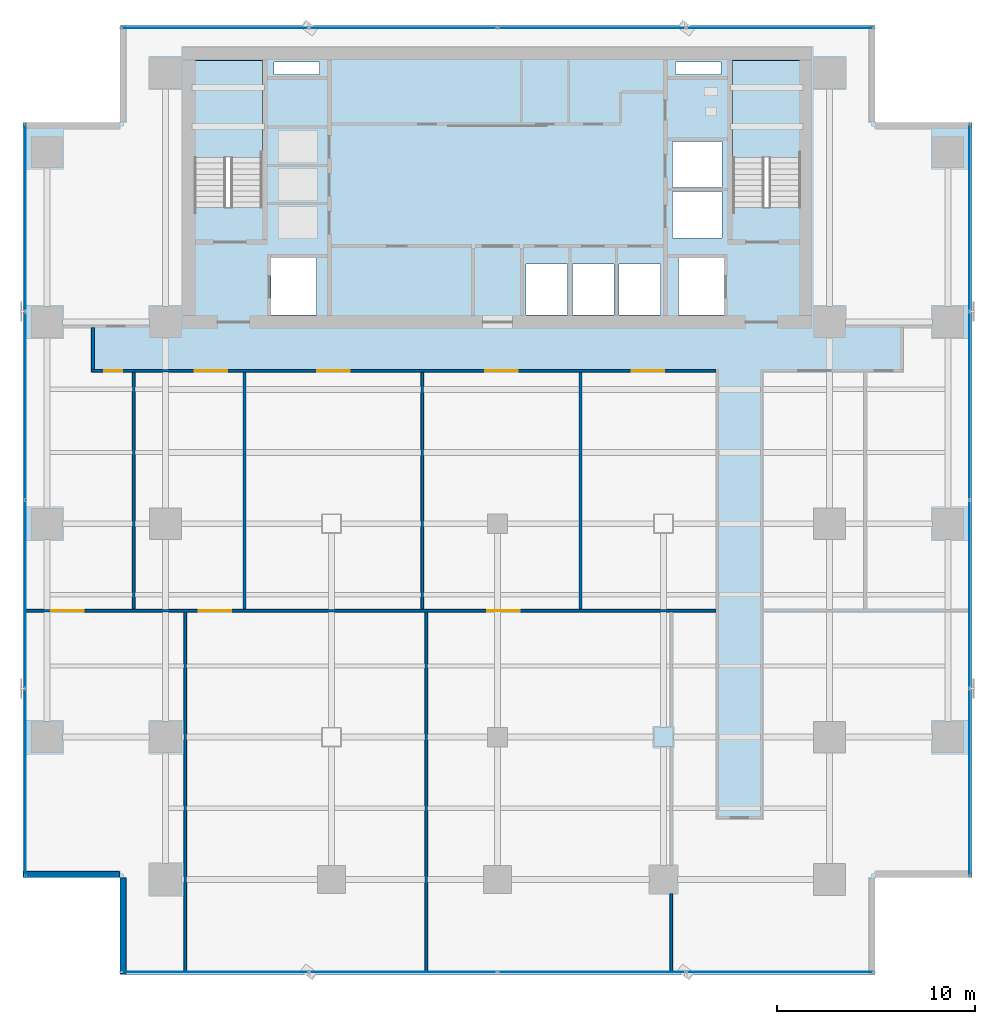
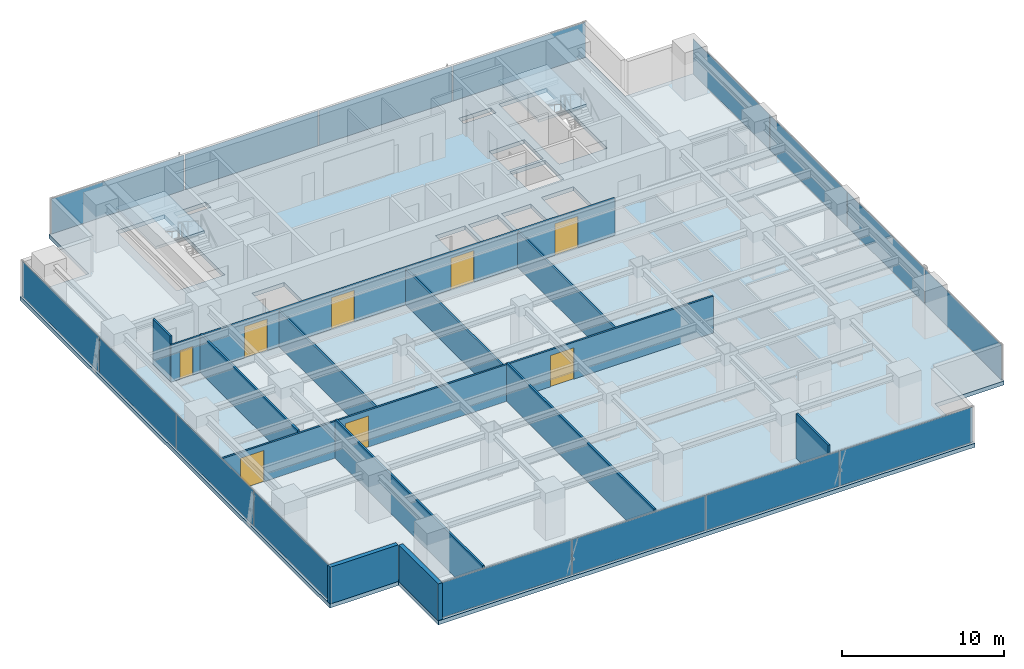
# One storey, part 20 of 29: 16 plates, 12 walls, 8 doors, 3 slabs, 8 openings, 6 elements without a shape of their own.
"""IFC4 building model written with IfcOpenShell, lengths in metres."""

from ifc_helpers import new_model, si_unit, direction, frame, frame_2d, origin, origin_2d, place, context, subcontext, project, spatial, polyline, rectangle, outline, extrude, source, transform, mapped, material, layer, layer_set, type_object, element, fill, aggregate, save


model = new_model("IFC4")

# Units and contexts
model_context = context("Model", 3, precision=1e-05, world=origin(), true_north=direction((0.0, 1.0)))
body_context = subcontext(model_context, "Body", "Model", "MODEL_VIEW")
ifc_project = project(units=[si_unit("LENGTHUNIT", "METRE"), si_unit("AREAUNIT", "SQUARE_METRE"), si_unit("VOLUMEUNIT", "CUBIC_METRE"), si_unit("PLANEANGLEUNIT", "RADIAN"), si_unit("MASSUNIT", "GRAM", prefix="KILO")], contexts=[model_context])

# Site, building, storey
site_placement = place(None, origin())
site = spatial("IfcSite", under=ifc_project, at=site_placement, CompositionType="ELEMENT")
building_placement = place(site_placement, origin())
building = spatial("IfcBuilding", under=site, at=building_placement, Name="Sumidabori Civic Tower", CompositionType="ELEMENT")
storey_placement = place(building_placement, frame((0.0, 0.0, 131.60009765625)))
storey = spatial("IfcBuildingStorey", under=building, at=storey_placement, Name="L33", CompositionType="ELEMENT", Elevation=131.60009765625)

# Stair, slab
ifc_material_1 = material(Name="Concrete C40/50", Category="concrete")
stair_type = type_object("IfcStairType", Name="ST-CORE-1600", PredefinedType="HALF_TURN_STAIR", material=ifc_material_1)
stair_1_placement = place(storey_placement, origin())
stair_1 = element("IfcStair", 1, at=stair_1_placement, inside=storey, type_object=stair_type, Name="L33 ST-1", PredefinedType="HALF_TURN_STAIR")
ifc_layer_1 = layer(ifc_material_1, 0.199951171875, Name="Concrete C40/50")
ifc_layer_set_1 = layer_set([ifc_layer_1], Name="Concrete C40/50")
slab_type_1 = type_object("IfcSlabType", Name="SL-LAND-200", PredefinedType="LANDING", material=ifc_layer_set_1)
slab_1_placement = place(storey_placement, frame((0.0, 0.0, 1.599853515625)))
slab_1 = element("IfcSlab", 2, at=slab_1_placement, type_object=slab_type_1, Name="ST-1 landing 1", PredefinedType="LANDING", context=body_context, shape_type="SweptSolid", body=[
    extrude(outline(polyline([(-11.89990234375, 18.52001953125), (-11.89990234375, 23.449951171875), (-15.340087890625, 23.449951171875), (-15.340087890625, 18.52001953125), (-11.89990234375, 18.52001953125)])), origin(), (0.0, 0.0, 1.0), 0.199951171875),
])
aggregate(stair_1, [slab_1])

stair_2_placement = place(storey_placement, origin())
stair_2 = element("IfcStair", 3, at=stair_2_placement, inside=storey, type_object=stair_type, Name="L33 ST-2", PredefinedType="HALF_TURN_STAIR")
slab_2_placement = place(storey_placement, frame((0.0, 0.0, 1.599853515625)))
slab_2 = element("IfcSlab", 4, at=slab_2_placement, type_object=slab_type_1, Name="ST-2 landing 1", PredefinedType="LANDING", context=body_context, shape_type="SweptSolid", body=[
    extrude(outline(polyline([(15.340087890625, 18.52001953125), (15.340087890625, 23.449951171875), (11.89990234375, 23.449951171875), (11.89990234375, 18.52001953125), (15.340087890625, 18.52001953125)])), origin(), (0.0, 0.0, 1.0), 0.199951171875),
])
aggregate(stair_2, [slab_2])

# Slab
ifc_layer_2 = layer(ifc_material_1, 0.300048828125, Name="Concrete C40/50")
ifc_layer_set_2 = layer_set([ifc_layer_2], Name="Concrete C40/50")
slab_type_2 = type_object("IfcSlabType", Name="SL-PRT-300", PredefinedType="FLOOR", material=ifc_layer_set_2)
slab_3_placement = place(storey_placement, frame((0.0, 0.0, -0.300048828125)))
element("IfcSlab", 5, at=slab_3_placement, inside=storey, type_object=slab_type_2, Name="Sky Lobby Structural Slab L33", PredefinedType="FLOOR", context=body_context, shape_type="SweptSolid", body=[
    extrude(outline(polyline([(-19.10009765625, -22.800048828125), (19.10009765625, -22.800048828125), (19.10009765625, -17.89990234375), (24.0, -17.89990234375), (24.0, 20.300048828125), (19.10009765625, 20.300048828125), (19.10009765625, 25.199951171875), (-19.10009765625, 25.199951171875), (-19.10009765625, 20.300048828125), (-24.0, 20.300048828125), (-24.0, -17.89990234375), (-19.10009765625, -17.89990234375), (-19.10009765625, -22.800048828125)]), holes=[polyline([(-11.89990234375, 16.0), (-11.89990234375, 23.449951171875), (-15.340087890625, 23.449951171875), (-15.340087890625, 16.0), (-11.89990234375, 16.0)]), polyline([(15.340087890625, 16.0), (15.340087890625, 23.449951171875), (11.89990234375, 23.449951171875), (11.89990234375, 16.0), (15.340087890625, 16.0)]), polyline([(-11.449951171875, 10.550048828125), (-9.14990234375, 10.550048828125), (-9.14990234375, 13.449951171875), (-11.449951171875, 13.449951171875), (-11.449951171875, 10.550048828125)]), polyline([(9.14990234375, 10.550048828125), (11.449951171875, 10.550048828125), (11.449951171875, 13.449951171875), (9.14990234375, 13.449951171875), (9.14990234375, 10.550048828125)]), polyline([(1.449951171875, 10.550048828125), (3.550048828125, 10.550048828125), (3.550048828125, 13.14990234375), (1.449951171875, 13.14990234375), (1.449951171875, 10.550048828125)]), polyline([(3.800048828125, 10.550048828125), (5.89990234375, 10.550048828125), (5.89990234375, 13.14990234375), (3.800048828125, 13.14990234375), (3.800048828125, 10.550048828125)]), polyline([(6.14990234375, 10.550048828125), (8.25, 10.550048828125), (8.25, 13.14990234375), (6.14990234375, 13.14990234375), (6.14990234375, 10.550048828125)]), polyline([(8.85009765625, 14.449951171875), (11.35009765625, 14.449951171875), (11.35009765625, 16.800048828125), (8.85009765625, 16.800048828125), (8.85009765625, 14.449951171875)]), polyline([(8.85009765625, 17.0), (11.35009765625, 17.0), (11.35009765625, 19.35009765625), (8.85009765625, 19.35009765625), (8.85009765625, 17.0)]), polyline([(-11.300048828125, 22.719970703125), (-9.0, 22.719970703125), (-9.0, 23.35009765625), (-11.300048828125, 23.35009765625), (-11.300048828125, 22.719970703125)]), polyline([(9.0, 22.719970703125), (11.300048828125, 22.719970703125), (11.300048828125, 23.35009765625), (9.0, 23.35009765625), (9.0, 22.719970703125)])]), origin(), (0.0, 0.0, 1.0), 0.300048828125),
])

# Curtain wall, plates
ifc_material_2 = material(Name="Anodised Bronze Aluminium AW-6063-T6", Category="aluminium")
ifc_layer_3 = layer(ifc_material_2, 0.179931640625, Name="Anodised Bronze Aluminium AW-6063-T6")
ifc_layer_set_3 = layer_set([ifc_layer_3], Name="Anodised Bronze Aluminium AW-6063-T6")
curtain_wall_type = type_object("IfcCurtainWallType", Name="CW-SYS-3", PredefinedType="NOTDEFINED", material=ifc_layer_set_3)
curtain_wall_1_placement = place(storey_placement, origin())
curtain_wall_1 = element("IfcCurtainWall", 6, at=curtain_wall_1_placement, inside=storey, type_object=curtain_wall_type, Name="Curtain Wall CW:L33:R01", PredefinedType="NOTDEFINED")
ifc_material_3 = material(Name="Low-E Solar-Control Vision Glazing", Category="glass")
ifc_layer_4 = layer(ifc_material_3, 0.028076171875, Name="Low-E Solar-Control Vision Glazing")
ifc_layer_set_4 = layer_set([ifc_layer_4], Name="Low-E Solar-Control Vision Glazing")
plate_type = type_object("IfcPlateType", Name="CW-PNL-28", PredefinedType="CURTAIN_PANEL", material=ifc_layer_set_4)
shared_shape_1 = source(origin(), body_context, "Body", "SweptSolid", [
    extrude(rectangle(XDim=9.4375, YDim=0.028076171875, at=origin_2d()), origin(), (0.0, 0.0, 1.0), 2.639892578125),
])
plate_1_placement = place(storey_placement, frame((-14.2861328125, -22.679931640625, 0.06005859375), z_axis=(0.0, 0.0, 1.0), x_axis=(1.0, 0.0, 0.0)))
plate_1 = element("IfcPlate", 7, at=plate_1_placement, type_object=plate_type, Name="CW-3 panel 1.1", PredefinedType="CURTAIN_PANEL", context=body_context, shape_type="MappedRepresentation", body=[
    mapped(shared_shape_1, transform((0.0, 0.0, 0.0), x_axis=(1.0, 0.0, 0.0), y_axis=(0.0, 1.0, 0.0), z_axis=(0.0, 0.0, 1.0), scale=1.0)),
])
plate_2_placement = place(storey_placement, frame((14.2861328125, -22.679931640625, 0.06005859375), z_axis=(0.0, 0.0, 1.0), x_axis=(1.0, 0.0, 0.0)))
plate_2 = element("IfcPlate", 8, at=plate_2_placement, type_object=plate_type, Name="CW-3 panel 4.1", PredefinedType="CURTAIN_PANEL", context=body_context, shape_type="MappedRepresentation", body=[
    mapped(shared_shape_1, transform((0.0, 0.0, 0.0), x_axis=(1.0, 0.0, 0.0), y_axis=(0.0, 1.0, 0.0), z_axis=(0.0, 0.0, 1.0), scale=1.0)),
])

curtain_wall_2_placement = place(storey_placement, origin())
curtain_wall_2 = element("IfcCurtainWall", 9, at=curtain_wall_2_placement, inside=storey, type_object=curtain_wall_type, Name="Curtain Wall CW:L33:R04", PredefinedType="NOTDEFINED")
plate_3_placement = place(storey_placement, frame((23.8798828125, -13.086181640625, 0.06005859375), z_axis=(0.0, 0.0, 1.0), x_axis=(0.0, 1.0, 0.0)))
plate_3 = element("IfcPlate", 10, at=plate_3_placement, type_object=plate_type, Name="CW-3 panel 1.1", PredefinedType="CURTAIN_PANEL", context=body_context, shape_type="MappedRepresentation", body=[
    mapped(shared_shape_1, transform((0.0, 0.0, 0.0), x_axis=(1.0, 0.0, 0.0), y_axis=(0.0, 1.0, 0.0), z_axis=(0.0, 0.0, 1.0), scale=1.0)),
])
plate_4_placement = place(storey_placement, frame((23.8798828125, 15.486328125, 0.06005859375), z_axis=(0.0, 0.0, 1.0), x_axis=(0.0, 1.0, 0.0)))
plate_4 = element("IfcPlate", 11, at=plate_4_placement, type_object=plate_type, Name="CW-3 panel 4.1", PredefinedType="CURTAIN_PANEL", context=body_context, shape_type="MappedRepresentation", body=[
    mapped(shared_shape_1, transform((0.0, 0.0, 0.0), x_axis=(1.0, 0.0, 0.0), y_axis=(0.0, 1.0, 0.0), z_axis=(0.0, 0.0, 1.0), scale=1.0)),
])

curtain_wall_3_placement = place(storey_placement, origin())
curtain_wall_3 = element("IfcCurtainWall", 12, at=curtain_wall_3_placement, inside=storey, type_object=curtain_wall_type, Name="Curtain Wall CW:L33:R07", PredefinedType="NOTDEFINED")
plate_5_placement = place(storey_placement, frame((14.2861328125, 25.080078125, 0.06005859375), z_axis=(0.0, 0.0, 1.0), x_axis=(-1.0, 0.0, 0.0)))
plate_5 = element("IfcPlate", 13, at=plate_5_placement, type_object=plate_type, Name="CW-3 panel 1.1", PredefinedType="CURTAIN_PANEL", context=body_context, shape_type="MappedRepresentation", body=[
    mapped(shared_shape_1, transform((0.0, 0.0, 0.0), x_axis=(1.0, 0.0, 0.0), y_axis=(0.0, 1.0, 0.0), z_axis=(0.0, 0.0, 1.0), scale=1.0)),
])
plate_6_placement = place(storey_placement, frame((-14.2861328125, 25.080078125, 0.06005859375), z_axis=(0.0, 0.0, 1.0), x_axis=(-1.0, 0.0, 0.0)))
plate_6 = element("IfcPlate", 14, at=plate_6_placement, type_object=plate_type, Name="CW-3 panel 4.1", PredefinedType="CURTAIN_PANEL", context=body_context, shape_type="MappedRepresentation", body=[
    mapped(shared_shape_1, transform((0.0, 0.0, 0.0), x_axis=(1.0, 0.0, 0.0), y_axis=(0.0, 1.0, 0.0), z_axis=(0.0, 0.0, 1.0), scale=1.0)),
])

curtain_wall_4_placement = place(storey_placement, origin())
curtain_wall_4 = element("IfcCurtainWall", 15, at=curtain_wall_4_placement, inside=storey, type_object=curtain_wall_type, Name="Curtain Wall CW:L33:R10", PredefinedType="NOTDEFINED")
plate_7_placement = place(storey_placement, frame((-23.8798828125, 15.486328125, 0.06005859375), z_axis=(0.0, 0.0, 1.0), x_axis=(0.0, -1.0, 0.0)))
plate_7 = element("IfcPlate", 16, at=plate_7_placement, type_object=plate_type, Name="CW-3 panel 1.1", PredefinedType="CURTAIN_PANEL", context=body_context, shape_type="MappedRepresentation", body=[
    mapped(shared_shape_1, transform((0.0, 0.0, 0.0), x_axis=(1.0, 0.0, 0.0), y_axis=(0.0, 1.0, 0.0), z_axis=(0.0, 0.0, 1.0), scale=1.0)),
])
plate_8_placement = place(storey_placement, frame((-23.8798828125, -13.086181640625, 0.06005859375), z_axis=(0.0, 0.0, 1.0), x_axis=(0.0, -1.0, 0.0)))
plate_8 = element("IfcPlate", 17, at=plate_8_placement, type_object=plate_type, Name="CW-3 panel 4.1", PredefinedType="CURTAIN_PANEL", context=body_context, shape_type="MappedRepresentation", body=[
    mapped(shared_shape_1, transform((0.0, 0.0, 0.0), x_axis=(1.0, 0.0, 0.0), y_axis=(0.0, 1.0, 0.0), z_axis=(0.0, 0.0, 1.0), scale=1.0)),
])

# Plate
shared_shape_2 = source(origin(), body_context, "Body", "SweptSolid", [
    extrude(rectangle(XDim=9.469970703125, YDim=0.028076171875, at=origin_2d()), origin(), (0.0, 0.0, 1.0), 2.639892578125),
])
plate_9_placement = place(storey_placement, frame((-4.767578125, -22.679931640625, 0.06005859375), z_axis=(0.0, 0.0, 1.0), x_axis=(1.0, 0.0, 0.0)))
plate_9 = element("IfcPlate", 18, at=plate_9_placement, type_object=plate_type, Name="CW-3 panel 2.1", PredefinedType="CURTAIN_PANEL", context=body_context, shape_type="MappedRepresentation", body=[
    mapped(shared_shape_2, transform((0.0, 0.0, 0.0), x_axis=(1.0, 0.0, 0.0), y_axis=(0.0, 1.0, 0.0), z_axis=(0.0, 0.0, 1.0), scale=1.0)),
])

plate_10_placement = place(storey_placement, frame((4.767578125, -22.679931640625, 0.06005859375), z_axis=(0.0, 0.0, 1.0), x_axis=(1.0, 0.0, 0.0)))
plate_10 = element("IfcPlate", 19, at=plate_10_placement, type_object=plate_type, Name="CW-3 panel 3.1", PredefinedType="CURTAIN_PANEL", context=body_context, shape_type="MappedRepresentation", body=[
    mapped(shared_shape_2, transform((0.0, 0.0, 0.0), x_axis=(1.0, 0.0, 0.0), y_axis=(0.0, 1.0, 0.0), z_axis=(0.0, 0.0, 1.0), scale=1.0)),
])

aggregate(curtain_wall_1, [plate_1, plate_9, plate_10, plate_2])

plate_11_placement = place(storey_placement, frame((23.8798828125, -3.5673828125, 0.06005859375), z_axis=(0.0, 0.0, 1.0), x_axis=(0.0, 1.0, 0.0)))
plate_11 = element("IfcPlate", 20, at=plate_11_placement, type_object=plate_type, Name="CW-3 panel 2.1", PredefinedType="CURTAIN_PANEL", context=body_context, shape_type="MappedRepresentation", body=[
    mapped(shared_shape_2, transform((0.0, 0.0, 0.0), x_axis=(1.0, 0.0, 0.0), y_axis=(0.0, 1.0, 0.0), z_axis=(0.0, 0.0, 1.0), scale=1.0)),
])

plate_12_placement = place(storey_placement, frame((23.8798828125, 5.967529296875, 0.06005859375), z_axis=(0.0, 0.0, 1.0), x_axis=(0.0, 1.0, 0.0)))
plate_12 = element("IfcPlate", 21, at=plate_12_placement, type_object=plate_type, Name="CW-3 panel 3.1", PredefinedType="CURTAIN_PANEL", context=body_context, shape_type="MappedRepresentation", body=[
    mapped(shared_shape_2, transform((0.0, 0.0, 0.0), x_axis=(1.0, 0.0, 0.0), y_axis=(0.0, 1.0, 0.0), z_axis=(0.0, 0.0, 1.0), scale=1.0)),
])

aggregate(curtain_wall_2, [plate_3, plate_11, plate_12, plate_4])

plate_13_placement = place(storey_placement, frame((4.767578125, 25.080078125, 0.06005859375), z_axis=(0.0, 0.0, 1.0), x_axis=(-1.0, 0.0, 0.0)))
plate_13 = element("IfcPlate", 22, at=plate_13_placement, type_object=plate_type, Name="CW-3 panel 2.1", PredefinedType="CURTAIN_PANEL", context=body_context, shape_type="MappedRepresentation", body=[
    mapped(shared_shape_2, transform((0.0, 0.0, 0.0), x_axis=(1.0, 0.0, 0.0), y_axis=(0.0, 1.0, 0.0), z_axis=(0.0, 0.0, 1.0), scale=1.0)),
])

plate_14_placement = place(storey_placement, frame((-4.767578125, 25.080078125, 0.06005859375), z_axis=(0.0, 0.0, 1.0), x_axis=(-1.0, 0.0, 0.0)))
plate_14 = element("IfcPlate", 23, at=plate_14_placement, type_object=plate_type, Name="CW-3 panel 3.1", PredefinedType="CURTAIN_PANEL", context=body_context, shape_type="MappedRepresentation", body=[
    mapped(shared_shape_2, transform((0.0, 0.0, 0.0), x_axis=(1.0, 0.0, 0.0), y_axis=(0.0, 1.0, 0.0), z_axis=(0.0, 0.0, 1.0), scale=1.0)),
])

aggregate(curtain_wall_3, [plate_5, plate_13, plate_14, plate_6])

plate_15_placement = place(storey_placement, frame((-23.8798828125, 5.967529296875, 0.06005859375), z_axis=(0.0, 0.0, 1.0), x_axis=(0.0, -1.0, 0.0)))
plate_15 = element("IfcPlate", 24, at=plate_15_placement, type_object=plate_type, Name="CW-3 panel 2.1", PredefinedType="CURTAIN_PANEL", context=body_context, shape_type="MappedRepresentation", body=[
    mapped(shared_shape_2, transform((0.0, 0.0, 0.0), x_axis=(1.0, 0.0, 0.0), y_axis=(0.0, 1.0, 0.0), z_axis=(0.0, 0.0, 1.0), scale=1.0)),
])

plate_16_placement = place(storey_placement, frame((-23.8798828125, -3.5673828125, 0.06005859375), z_axis=(0.0, 0.0, 1.0), x_axis=(0.0, -1.0, 0.0)))
plate_16 = element("IfcPlate", 25, at=plate_16_placement, type_object=plate_type, Name="CW-3 panel 3.1", PredefinedType="CURTAIN_PANEL", context=body_context, shape_type="MappedRepresentation", body=[
    mapped(shared_shape_2, transform((0.0, 0.0, 0.0), x_axis=(1.0, 0.0, 0.0), y_axis=(0.0, 1.0, 0.0), z_axis=(0.0, 0.0, 1.0), scale=1.0)),
])

aggregate(curtain_wall_4, [plate_7, plate_15, plate_16, plate_8])

# Walls
ifc_material_4 = material(Name="Precast concrete C40/50", Category="concrete")
ifc_layer_5 = layer(ifc_material_4, 0.300048828125, Name="Precast concrete C40/50")
ifc_layer_set_5 = layer_set([ifc_layer_5], Name="Precast concrete C40/50")
wall_type_1 = type_object("IfcWallType", Name="WL-EXT-POD300", PredefinedType="STANDARD", material=ifc_layer_set_5)
shared_shape_3 = source(origin(), body_context, "Body", "SweptSolid", [
    extrude(rectangle(XDim=4.860107421875, YDim=0.300048828125, at=frame_2d((2.43017578125, 0.0))), origin(), (0.0, 0.0, 1.0), 2.760009765625),
])
wall_1_placement = place(storey_placement, frame((-18.949951171875, -17.919921875, 0.0), z_axis=(0.0, 0.0, 1.0), x_axis=(0.0, -1.0, 0.0)))
element("IfcWall", 26, at=wall_1_placement, inside=storey, type_object=wall_type_1, Name="Notched Corner Spandrel Band L33-12", PredefinedType="STANDARD", context=body_context, shape_type="MappedRepresentation", body=[
    mapped(shared_shape_3, transform((0.0, 0.0, 0.0), x_axis=(1.0, 0.0, 0.0), y_axis=(0.0, 1.0, 0.0), z_axis=(0.0, 0.0, 1.0), scale=1.0)),
])
shared_shape_4 = source(origin(), body_context, "Body", "SweptSolid", [
    extrude(rectangle(XDim=4.85986328125, YDim=0.300048828125, at=frame_2d((2.429931640625, 0.0))), origin(), (0.0, 0.0, 1.0), 2.760009765625),
])
wall_2_placement = place(storey_placement, frame((-23.97998046875, -17.75, 0.0), z_axis=(0.0, 0.0, 1.0), x_axis=(1.0, 0.0, 0.0)))
element("IfcWall", 27, at=wall_2_placement, inside=storey, type_object=wall_type_1, Name="Notched Corner Spandrel Band L33-11", PredefinedType="STANDARD", context=body_context, shape_type="MappedRepresentation", body=[
    mapped(shared_shape_4, transform((0.0, 0.0, 0.0), x_axis=(1.0, 0.0, 0.0), y_axis=(0.0, 1.0, 0.0), z_axis=(0.0, 0.0, 1.0), scale=1.0)),
])

# Wall, openings, doors
ifc_material_5 = material(Name="Gypsum Plasterboard Acoustic Partition")
ifc_layer_6 = layer(ifc_material_5, 0.135009765625, Name="Gypsum Plasterboard Acoustic Partition")
ifc_layer_set_6 = layer_set([ifc_layer_6], Name="Gypsum Plasterboard Acoustic Partition")
wall_type_2 = type_object("IfcWallType", Name="WL-PART-135", PredefinedType="PARTITIONING", material=ifc_layer_set_6)
shared_shape_5 = source(origin(), body_context, "Body", "SweptSolid", [
    extrude(rectangle(XDim=31.599853515625, YDim=0.135009765625, at=frame_2d((15.7998046875, 0.0))), origin(), (0.0, 0.0, 1.0), 2.764892578125),
])
wall_3_placement = place(storey_placement, frame((-20.534912109375, 7.732421875, 0.0), z_axis=(0.0, 0.0, 1.0), x_axis=(1.0, 0.0, 0.0)))
wall_3 = element("IfcWall", 28, at=wall_3_placement, inside=storey, type_object=wall_type_2, Name="Interior Partition WL:L33:CORR-SW", PredefinedType="PARTITIONING", context=body_context, shape_type="MappedRepresentation", body=[
    mapped(shared_shape_5, transform((0.0, 0.0, 0.0), x_axis=(1.0, 0.0, 0.0), y_axis=(0.0, 1.0, 0.0), z_axis=(0.0, 0.0, 1.0), scale=1.0)),
])
opening_1_placement = place(wall_3_placement, frame((0.643798828125, 0.0, 0.0)))
opening_1 = element("IfcOpeningElement", 29, at=opening_1_placement, cuts=wall_3, Name="Opening DR-1", PredefinedType="OPENING", context=body_context, shape_type="SweptSolid", body=[
    extrude(rectangle(XDim=0.89990234375, YDim=2.14990234375, at=frame_2d((0.449951171875, 1.074951171875))), frame((0.0, 0.07958984375, 0.0), z_axis=(0.0, -1.0, 0.0), x_axis=(1.0, 0.0, 0.0)), (0.0, 0.0, 1.0), 0.158935546875),
])
opening_2_placement = place(wall_3_placement, frame((5.2099609375, 0.0, 0.0)))
opening_2 = element("IfcOpeningElement", 30, at=opening_2_placement, cuts=wall_3, Name="Opening DR-6", PredefinedType="OPENING", context=body_context, shape_type="SweptSolid", body=[
    extrude(rectangle(XDim=1.64990234375, YDim=2.35009765625, at=frame_2d((0.824951171875, 1.175048828125))), frame((0.0, 0.07958984375, 0.0), z_axis=(0.0, -1.0, 0.0), x_axis=(1.0, 0.0, 0.0)), (0.0, 0.0, 1.0), 0.158935546875),
])
opening_3_placement = place(wall_3_placement, frame((11.409912109375, 0.0, 0.0)))
opening_3 = element("IfcOpeningElement", 31, at=opening_3_placement, cuts=wall_3, Name="Opening DR-6", PredefinedType="OPENING", context=body_context, shape_type="SweptSolid", body=[
    extrude(rectangle(XDim=1.64990234375, YDim=2.35009765625, at=frame_2d((0.824951171875, 1.175048828125))), frame((0.0, 0.07958984375, 0.0), z_axis=(0.0, -1.0, 0.0), x_axis=(1.0, 0.0, 0.0)), (0.0, 0.0, 1.0), 0.158935546875),
])
opening_4_placement = place(wall_3_placement, frame((19.909912109375, 0.0, 0.0)))
opening_4 = element("IfcOpeningElement", 32, at=opening_4_placement, cuts=wall_3, Name="Opening DR-6", PredefinedType="OPENING", context=body_context, shape_type="SweptSolid", body=[
    extrude(rectangle(XDim=1.64990234375, YDim=2.35009765625, at=frame_2d((0.824951171875, 1.175048828125))), frame((0.0, 0.07958984375, 0.0), z_axis=(0.0, -1.0, 0.0), x_axis=(1.0, 0.0, 0.0)), (0.0, 0.0, 1.0), 0.158935546875),
])
opening_5_placement = place(wall_3_placement, frame((27.31640625, 0.0, 0.0)))
opening_5 = element("IfcOpeningElement", 33, at=opening_5_placement, cuts=wall_3, Name="Opening DR-6", PredefinedType="OPENING", context=body_context, shape_type="SweptSolid", body=[
    extrude(rectangle(XDim=1.64990234375, YDim=2.35009765625, at=frame_2d((0.824951171875, 1.175048828125))), frame((0.0, 0.07958984375, 0.0), z_axis=(0.0, -1.0, 0.0), x_axis=(1.0, 0.0, 0.0)), (0.0, 0.0, 1.0), 0.158935546875),
])
ifc_material_6 = material(Name="Japanese Hinoki Timber", Category="wood")
door_type_1 = type_object("IfcDoorType", Name="DR-INT-900", OperationType="NOTDEFINED", PredefinedType="DOOR", material=ifc_material_6)
shared_shape_6 = source(origin(), body_context, "Body", "SweptSolid", [
    extrude(rectangle(XDim=0.89990234375, YDim=2.14990234375, at=frame_2d((0.449951171875, 1.074951171875))), frame((0.0, 0.02490234375, 0.0), z_axis=(0.0, -1.0, 0.0), x_axis=(1.0, 0.0, 0.0)), (0.0, 0.0, 1.0), 0.050048828125),
])
door_1_placement = place(opening_1_placement, origin())
door_1 = element("IfcDoor", 34, at=door_1_placement, inside=storey, type_object=door_type_1, Name="Door DR:L33:D02", OperationType="SINGLE_SWING_RIGHT", OverallHeight=2.14990234375, OverallWidth=0.89990234375, PredefinedType="DOOR", context=body_context, shape_type="MappedRepresentation", body=[
    mapped(shared_shape_6, transform((0.0, 0.0, 0.0), x_axis=(1.0, 0.0, 0.0), y_axis=(0.0, 1.0, 0.0), z_axis=(0.0, 0.0, 1.0), scale=1.0)),
])
fill(opening_1, door_1)
door_type_2 = type_object("IfcDoorType", Name="DR-DBL-1650", OperationType="DOUBLE_DOOR_SINGLE_SWING", PredefinedType="DOOR", material=ifc_material_2)
shared_shape_7 = source(origin(), body_context, "Body", "SweptSolid", [
    extrude(rectangle(XDim=1.64990234375, YDim=2.35009765625, at=frame_2d((0.824951171875, 1.175048828125))), frame((0.0, 0.02490234375, 0.0), z_axis=(0.0, -1.0, 0.0), x_axis=(1.0, 0.0, 0.0)), (0.0, 0.0, 1.0), 0.050048828125),
])
door_2_placement = place(opening_2_placement, origin())
door_2 = element("IfcDoor", 35, at=door_2_placement, inside=storey, type_object=door_type_2, Name="Door DR:L33:D05", OperationType="DOUBLE_DOOR_SINGLE_SWING", OverallHeight=2.35009765625, OverallWidth=1.64990234375, PredefinedType="DOOR", context=body_context, shape_type="MappedRepresentation", body=[
    mapped(shared_shape_7, transform((0.0, 0.0, 0.0), x_axis=(1.0, 0.0, 0.0), y_axis=(0.0, 1.0, 0.0), z_axis=(0.0, 0.0, 1.0), scale=1.0)),
])
fill(opening_2, door_2)
door_3_placement = place(opening_3_placement, origin())
door_3 = element("IfcDoor", 36, at=door_3_placement, inside=storey, type_object=door_type_2, Name="Door DR:L33:D06", OperationType="DOUBLE_DOOR_SINGLE_SWING", OverallHeight=2.35009765625, OverallWidth=1.64990234375, PredefinedType="DOOR", context=body_context, shape_type="MappedRepresentation", body=[
    mapped(shared_shape_7, transform((0.0, 0.0, 0.0), x_axis=(1.0, 0.0, 0.0), y_axis=(0.0, 1.0, 0.0), z_axis=(0.0, 0.0, 1.0), scale=1.0)),
])
fill(opening_3, door_3)
door_4_placement = place(opening_4_placement, origin())
door_4 = element("IfcDoor", 37, at=door_4_placement, inside=storey, type_object=door_type_2, Name="Door DR:L33:D07", OperationType="DOUBLE_DOOR_SINGLE_SWING", OverallHeight=2.35009765625, OverallWidth=1.64990234375, PredefinedType="DOOR", context=body_context, shape_type="MappedRepresentation", body=[
    mapped(shared_shape_7, transform((0.0, 0.0, 0.0), x_axis=(1.0, 0.0, 0.0), y_axis=(0.0, 1.0, 0.0), z_axis=(0.0, 0.0, 1.0), scale=1.0)),
])
fill(opening_4, door_4)
door_5_placement = place(opening_5_placement, origin())
door_5 = element("IfcDoor", 38, at=door_5_placement, inside=storey, type_object=door_type_2, Name="Door DR:L33:D08", OperationType="DOUBLE_DOOR_SINGLE_SWING", OverallHeight=2.35009765625, OverallWidth=1.64990234375, PredefinedType="DOOR", context=body_context, shape_type="MappedRepresentation", body=[
    mapped(shared_shape_7, transform((0.0, 0.0, 0.0), x_axis=(1.0, 0.0, 0.0), y_axis=(0.0, 1.0, 0.0), z_axis=(0.0, 0.0, 1.0), scale=1.0)),
])
fill(opening_5, door_5)

# Wall
shared_shape_8 = source(origin(), body_context, "Body", "SweptSolid", [
    extrude(rectangle(XDim=2.12255859375, YDim=0.135009765625, at=frame_2d((1.061279296875, 0.0))), origin(), (0.0, 0.0, 1.0), 3.3798828125),
])
wall_4_placement = place(storey_placement, frame((-20.467529296875, 7.804931640625, 0.0), z_axis=(0.0, 0.0, 1.0), x_axis=(0.0, 1.0, 0.0)))
element("IfcWall", 39, at=wall_4_placement, inside=storey, type_object=wall_type_2, Name="Interior Partition WL:L33:CORR-VNW", PredefinedType="PARTITIONING", context=body_context, shape_type="MappedRepresentation", body=[
    mapped(shared_shape_8, transform((0.0, 0.0, 0.0), x_axis=(1.0, 0.0, 0.0), y_axis=(0.0, 1.0, 0.0), z_axis=(0.0, 0.0, 1.0), scale=1.0)),
])

# Wall, openings, doors
shared_shape_9 = source(origin(), body_context, "Body", "SweptSolid", [
    extrude(rectangle(XDim=34.91015625, YDim=0.135009765625, at=frame_2d((17.455078125, 0.0))), origin(), (0.0, 0.0, 1.0), 2.764892578125),
])
wall_5_placement = place(storey_placement, frame((-23.85009765625, -4.39990234375, 0.0), z_axis=(0.0, 0.0, 1.0), x_axis=(1.0, 0.0, 0.0)))
wall_5 = element("IfcWall", 40, at=wall_5_placement, inside=storey, type_object=wall_type_2, Name="Interior Partition WL:L33:BAND-Y-1", PredefinedType="PARTITIONING", context=body_context, shape_type="MappedRepresentation", body=[
    mapped(shared_shape_9, transform((0.0, 0.0, 0.0), x_axis=(1.0, 0.0, 0.0), y_axis=(0.0, 1.0, 0.0), z_axis=(0.0, 0.0, 1.0), scale=1.0)),
])
opening_6_placement = place(wall_5_placement, frame((1.266357421875, 0.0, 0.0)))
opening_6 = element("IfcOpeningElement", 41, at=opening_6_placement, cuts=wall_5, Name="Opening DR-6", PredefinedType="OPENING", context=body_context, shape_type="SweptSolid", body=[
    extrude(rectangle(XDim=1.64990234375, YDim=2.35009765625, at=frame_2d((0.824951171875, 1.175048828125))), frame((0.0, 0.07958984375, 0.0), z_axis=(0.0, -1.0, 0.0), x_axis=(1.0, 0.0, 0.0)), (0.0, 0.0, 1.0), 0.158935546875),
])
opening_7_placement = place(wall_5_placement, frame((8.72509765625, 0.0, 0.0)))
opening_7 = element("IfcOpeningElement", 42, at=opening_7_placement, cuts=wall_5, Name="Opening DR-6", PredefinedType="OPENING", context=body_context, shape_type="SweptSolid", body=[
    extrude(rectangle(XDim=1.64990234375, YDim=2.35009765625, at=frame_2d((0.824951171875, 1.175048828125))), frame((0.0, 0.07958984375, 0.0), z_axis=(0.0, -1.0, 0.0), x_axis=(1.0, 0.0, 0.0)), (0.0, 0.0, 1.0), 0.158935546875),
])
opening_8_placement = place(wall_5_placement, frame((23.324951171875, 0.0, 0.0)))
opening_8 = element("IfcOpeningElement", 43, at=opening_8_placement, cuts=wall_5, Name="Opening DR-6", PredefinedType="OPENING", context=body_context, shape_type="SweptSolid", body=[
    extrude(rectangle(XDim=1.64990234375, YDim=2.35009765625, at=frame_2d((0.824951171875, 1.175048828125))), frame((0.0, 0.07958984375, 0.0), z_axis=(0.0, -1.0, 0.0), x_axis=(1.0, 0.0, 0.0)), (0.0, 0.0, 1.0), 0.158935546875),
])
door_6_placement = place(opening_6_placement, origin())
door_6 = element("IfcDoor", 44, at=door_6_placement, inside=storey, type_object=door_type_2, Name="Door DR:L33:D10", OperationType="DOUBLE_DOOR_SINGLE_SWING", OverallHeight=2.35009765625, OverallWidth=1.64990234375, PredefinedType="DOOR", context=body_context, shape_type="MappedRepresentation", body=[
    mapped(shared_shape_7, transform((0.0, 0.0, 0.0), x_axis=(1.0, 0.0, 0.0), y_axis=(0.0, 1.0, 0.0), z_axis=(0.0, 0.0, 1.0), scale=1.0)),
])
fill(opening_6, door_6)
door_7_placement = place(opening_7_placement, origin())
door_7 = element("IfcDoor", 45, at=door_7_placement, inside=storey, type_object=door_type_2, Name="Door DR:L33:D11", OperationType="DOUBLE_DOOR_SINGLE_SWING", OverallHeight=2.35009765625, OverallWidth=1.64990234375, PredefinedType="DOOR", context=body_context, shape_type="MappedRepresentation", body=[
    mapped(shared_shape_7, transform((0.0, 0.0, 0.0), x_axis=(1.0, 0.0, 0.0), y_axis=(0.0, 1.0, 0.0), z_axis=(0.0, 0.0, 1.0), scale=1.0)),
])
fill(opening_7, door_7)
door_8_placement = place(opening_8_placement, origin())
door_8 = element("IfcDoor", 46, at=door_8_placement, inside=storey, type_object=door_type_2, Name="Door DR:L33:D12", OperationType="DOUBLE_DOOR_SINGLE_SWING", OverallHeight=2.35009765625, OverallWidth=1.64990234375, PredefinedType="DOOR", context=body_context, shape_type="MappedRepresentation", body=[
    mapped(shared_shape_7, transform((0.0, 0.0, 0.0), x_axis=(1.0, 0.0, 0.0), y_axis=(0.0, 1.0, 0.0), z_axis=(0.0, 0.0, 1.0), scale=1.0)),
])
fill(opening_8, door_8)

# Walls
shared_shape_10 = source(origin(), body_context, "Body", "SweptSolid", [
    extrude(rectangle(XDim=11.9873046875, YDim=0.135009765625, at=frame_2d((5.99365234375, 0.0))), origin(), (0.0, 0.0, 1.0), 2.914794921875),
])
wall_6_placement = place(storey_placement, frame((-18.39990234375, -4.327392578125, 0.0), z_axis=(0.0, 0.0, 1.0), x_axis=(0.0, 1.0, 0.0)))
element("IfcWall", 47, at=wall_6_placement, inside=storey, type_object=wall_type_2, Name="Interior Partition WL:L33:VX-N1", PredefinedType="PARTITIONING", context=body_context, shape_type="MappedRepresentation", body=[
    mapped(shared_shape_10, transform((0.0, 0.0, 0.0), x_axis=(1.0, 0.0, 0.0), y_axis=(0.0, 1.0, 0.0), z_axis=(0.0, 0.0, 1.0), scale=1.0)),
])
shared_shape_11 = source(origin(), body_context, "Body", "SweptSolid", [
    extrude(rectangle(XDim=11.9873046875, YDim=0.135009765625, at=frame_2d((5.99365234375, 0.0))), origin(), (0.0, 0.0, 1.0), 2.664794921875),
])
for number, where, z_axis, x_axis, name in (
    (48, (-12.800048828125, -4.327392578125, 0.0), (0.0, 0.0, 1.0), (0.0, 1.0, 0.0), "Interior Partition WL:L33:VX-N2"),
    (49, (-3.800048828125, -4.327392578125, 0.0), (0.0, 0.0, 1.0), (0.0, 1.0, 0.0), "Interior Partition WL:L33:VX-N3"),
    (50, (4.199951171875, -4.327392578125, 0.0), (0.0, 0.0, 1.0), (0.0, 1.0, 0.0), "Interior Partition WL:L33:VX-N4"),
):
    element("IfcWall", number, at=place(storey_placement, frame(where, z_axis=z_axis, x_axis=x_axis)), inside=storey, type_object=wall_type_2, Name=name, PredefinedType="PARTITIONING", context=body_context, shape_type="MappedRepresentation", body=[
        mapped(shared_shape_11, transform((0.0, 0.0, 0.0), x_axis=(1.0, 0.0, 0.0), y_axis=(0.0, 1.0, 0.0), z_axis=(0.0, 0.0, 1.0), scale=1.0)),
    ])
shared_shape_12 = source(origin(), body_context, "Body", "SweptSolid", [
    extrude(rectangle(XDim=18.177490234375, YDim=0.135009765625, at=frame_2d((9.0888671875, 0.0))), origin(), (0.0, 0.0, 1.0), 2.914794921875),
])
for number, where, z_axis, x_axis, name in (
    (51, (-15.800048828125, -22.64990234375, 0.0), (0.0, 0.0, 1.0), (0.0, 1.0, 0.0), "Interior Partition WL:L33:VX-S1"),
    (52, (-3.60009765625, -22.64990234375, 0.0), (0.0, 0.0, 1.0), (0.0, 1.0, 0.0), "Interior Partition WL:L33:VX-S2"),
):
    element("IfcWall", number, at=place(storey_placement, frame(where, z_axis=z_axis, x_axis=x_axis)), inside=storey, type_object=wall_type_2, Name=name, PredefinedType="PARTITIONING", context=body_context, shape_type="MappedRepresentation", body=[
        mapped(shared_shape_12, transform((0.0, 0.0, 0.0), x_axis=(1.0, 0.0, 0.0), y_axis=(0.0, 1.0, 0.0), z_axis=(0.0, 0.0, 1.0), scale=1.0)),
    ])
shared_shape_13 = source(origin(), body_context, "Body", "SweptSolid", [
    extrude(rectangle(XDim=3.93994140625, YDim=0.135009765625, at=frame_2d((1.969970703125, 0.0))), origin(), (0.0, 0.0, 1.0), 3.3798828125),
])
wall_7_placement = place(storey_placement, frame((8.800048828125, -22.64990234375, 0.0), z_axis=(0.0, 0.0, 1.0), x_axis=(0.0, 1.0, 0.0)))
element("IfcWall", 53, at=wall_7_placement, inside=storey, type_object=wall_type_2, Name="Interior Partition WL:L33:VX-S3-1", PredefinedType="PARTITIONING", context=body_context, shape_type="MappedRepresentation", body=[
    mapped(shared_shape_13, transform((0.0, 0.0, 0.0), x_axis=(1.0, 0.0, 0.0), y_axis=(0.0, 1.0, 0.0), z_axis=(0.0, 0.0, 1.0), scale=1.0)),
])

save(model, "model.ifc")
